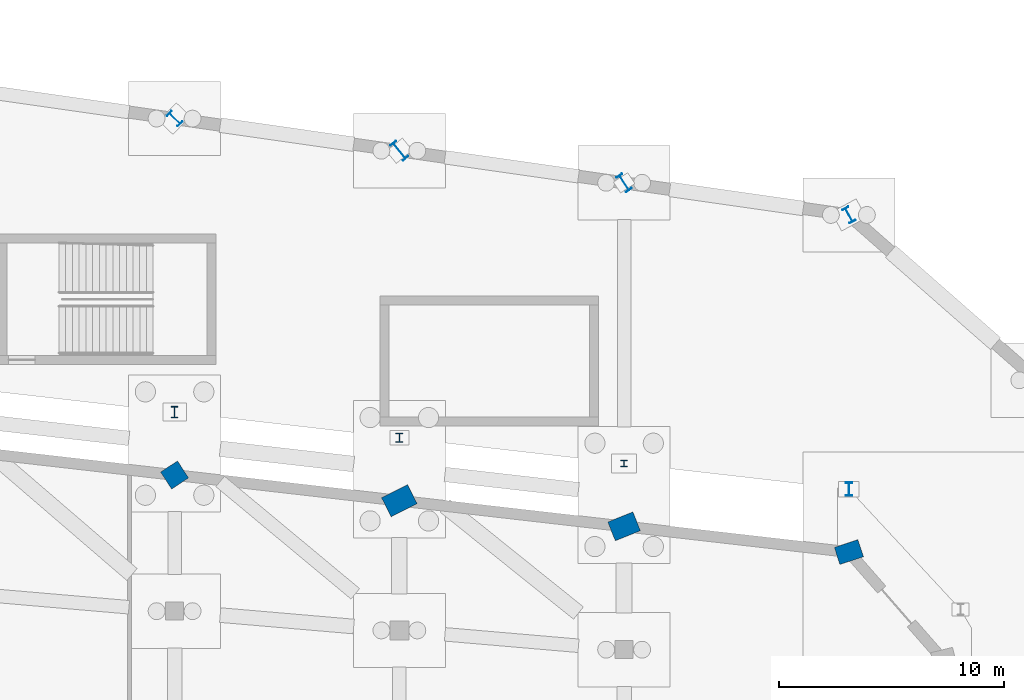
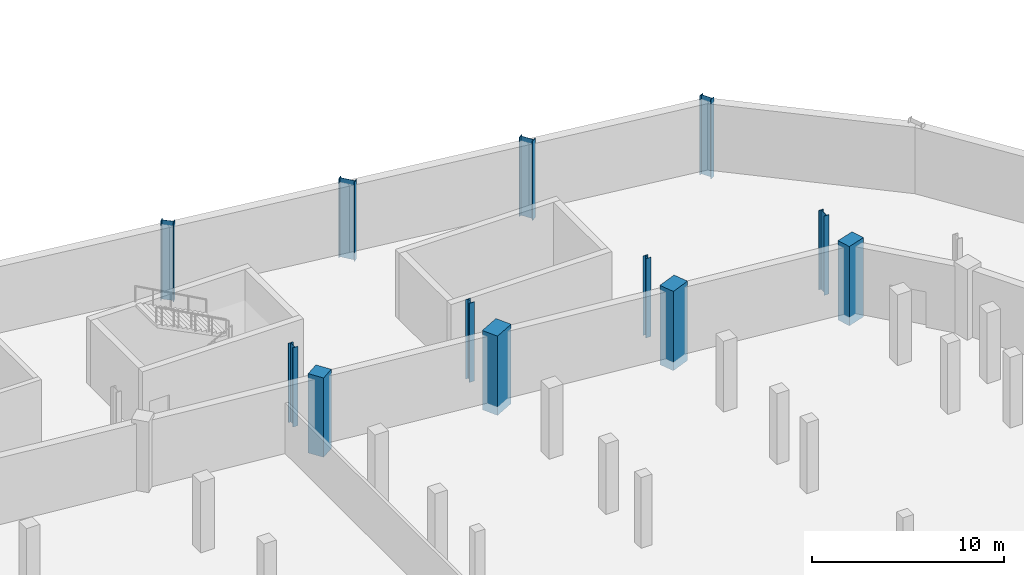
# One storey, part 32 of 55: 12 columns.
"""IFC4 building model written with IfcOpenShell, lengths in metres."""

from ifc_helpers import new_model, si_unit, direction, frame, origin, origin_2d, place, context, subcontext, project, spatial, rectangle, i_section, extrude, material, material_profile, profile_set, type_object, element, save


model = new_model("IFC4")

# Units and contexts
model_context = context("Model", 3, precision=1e-05, world=origin(), true_north=direction((0.0, 1.0)))
body_context = subcontext(model_context, "Body", "Model", "MODEL_VIEW")
ifc_project = project(units=[si_unit("LENGTHUNIT", "METRE"), si_unit("AREAUNIT", "SQUARE_METRE"), si_unit("VOLUMEUNIT", "CUBIC_METRE"), si_unit("PLANEANGLEUNIT", "RADIAN"), si_unit("MASSUNIT", "GRAM", prefix="KILO")], contexts=[model_context])

# Site, building, storey
site_placement = place(None, origin())
site = spatial("IfcSite", under=ifc_project, at=site_placement, CompositionType="ELEMENT")
building_placement = place(site_placement, origin())
building = spatial("IfcBuilding", under=site, at=building_placement, Name="Sohan Crest Arena", CompositionType="ELEMENT")
storey_placement = place(building_placement, frame((0.0, 0.0, -4.5)))
storey = spatial("IfcBuildingStorey", under=building, at=storey_placement, Name="B1", CompositionType="ELEMENT", Elevation=-4.5)

# Columns
ifc_material_1 = material(Name="Concrete C40/50", Category="concrete")
ifc_material_profile_1 = material_profile(ifc_material_1, rectangle(XDim=0.89990234375, YDim=0.89990234375, at=origin_2d()), Name="RC 900x900")
ifc_profile_set_1 = profile_set([ifc_material_profile_1], Name="Concrete C40/50")
column_type_1 = type_object("IfcColumnType", Name="STR-COL-C07", PredefinedType="COLUMN", material=ifc_profile_set_1)
column_1_placement = place(storey_placement, frame((138.0, 104.428955078125, -0.550048828125), z_axis=(0.0, 0.0, 1.0), x_axis=(0.833885822067, 0.551936985312, 0.0)))
element("IfcColumn", 1, at=column_1_placement, inside=storey, type_object=column_type_1, Name="Structural column COL-V1R-31-B1", PredefinedType="COLUMN", context=body_context, shape_type="SweptSolid", body=[
    extrude(rectangle(XDim=0.89990234375, YDim=0.89990234375, at=origin_2d()), origin(), (0.0, 0.0, 1.0), 5.050048828125),
])
ifc_material_profile_2 = material_profile(ifc_material_1, rectangle(XDim=1.10009765625, YDim=0.800048828125, at=origin_2d()), Name="RC 1100x800")
ifc_profile_set_2 = profile_set([ifc_material_profile_2], Name="Concrete C40/50")
column_type_2 = type_object("IfcColumnType", Name="STR-COL-C10", PredefinedType="COLUMN", material=ifc_profile_set_2)
column_2_placement = place(storey_placement, frame((168.0, 101.0, -0.550048828125), z_axis=(0.0, 0.0, 1.0), x_axis=(0.949972051525, 0.312334918512, 0.0)))
element("IfcColumn", 2, at=column_2_placement, inside=storey, type_object=column_type_2, Name="Structural column COL-V1R-28-B1", PredefinedType="COLUMN", context=body_context, shape_type="SweptSolid", body=[
    extrude(rectangle(XDim=1.10009765625, YDim=0.800048828125, at=origin_2d()), origin(), (0.0, 0.0, 1.0), 5.050048828125),
])
ifc_material_profile_3 = material_profile(ifc_material_1, rectangle(XDim=1.199951171875, YDim=0.89990234375, at=origin_2d()), Name="RC 1200x900")
ifc_profile_set_3 = profile_set([ifc_material_profile_3], Name="Concrete C40/50")
column_type_3 = type_object("IfcColumnType", Name="STR-COL-C11", PredefinedType="COLUMN", material=ifc_profile_set_3)
column_3_placement = place(storey_placement, frame((158.0, 102.14306640625, -0.550048828125), z_axis=(0.0, 0.0, 1.0), x_axis=(0.927836253899, 0.372987782576, 0.0)))
element("IfcColumn", 3, at=column_3_placement, inside=storey, type_object=column_type_3, Name="Structural column COL-V1R-29-B1", PredefinedType="COLUMN", context=body_context, shape_type="SweptSolid", body=[
    extrude(rectangle(XDim=1.199951171875, YDim=0.89990234375, at=origin_2d()), origin(), (0.0, 0.0, 1.0), 5.050048828125),
])
ifc_material_profile_4 = material_profile(ifc_material_1, rectangle(XDim=1.300048828125, YDim=0.949951171875, at=origin_2d()), Name="RC 1300x950")
ifc_profile_set_4 = profile_set([ifc_material_profile_4], Name="Concrete C40/50")
column_type_4 = type_object("IfcColumnType", Name="STR-COL-C12", PredefinedType="COLUMN", material=ifc_profile_set_4)
column_4_placement = place(storey_placement, frame((148.0, 103.285888671875, -0.550048828125), z_axis=(0.0, 0.0, 1.0), x_axis=(0.892585818452, 0.450877540689, 0.0)))
element("IfcColumn", 4, at=column_4_placement, inside=storey, type_object=column_type_4, Name="Structural column COL-V1R-30-B1", PredefinedType="COLUMN", context=body_context, shape_type="SweptSolid", body=[
    extrude(rectangle(XDim=1.300048828125, YDim=0.949951171875, at=origin_2d()), origin(), (0.0, 0.0, 1.0), 5.050048828125),
])
ifc_material_2 = material(Name="Steel S355", Category="steel")
ifc_material_profile_5 = material_profile(ifc_material_2, i_section(OverallWidth=0.300048828125, OverallDepth=0.300048828125, WebThickness=0.010986328125, FlangeThickness=0.01904296875, at=origin_2d()), Name="HEB 300")
ifc_profile_set_5 = profile_set([ifc_material_profile_5], Name="Steel S355")
column_type_5 = type_object("IfcColumnType", Name="STR-COL-C17", PredefinedType="COLUMN", material=ifc_profile_set_5)
column_5_placement = place(storey_placement, frame((158.0, 104.943115234375, -0.550048828125), z_axis=(0.0, 0.0, 1.0), x_axis=(1.0, 0.0, 0.0)))
element("IfcColumn", 5, at=column_5_placement, inside=storey, type_object=column_type_5, Name="Structural column COL-V2I-29-B1", PredefinedType="COLUMN", context=body_context, shape_type="SweptSolid", body=[
    extrude(i_section(OverallWidth=0.300048828125, OverallDepth=0.300048828125, WebThickness=0.010986328125, FlangeThickness=0.01904296875, at=origin_2d()), origin(), (0.0, 0.0, 1.0), 5.050048828125),
])
ifc_material_profile_6 = material_profile(ifc_material_2, i_section(OverallWidth=0.300048828125, OverallDepth=0.39990234375, WebThickness=0.013427734375, FlangeThickness=0.02392578125, at=origin_2d()), Name="HEB 400")
ifc_profile_set_6 = profile_set([ifc_material_profile_6], Name="Steel S355")
column_type_6 = type_object("IfcColumnType", Name="STR-COL-C18", PredefinedType="COLUMN", material=ifc_profile_set_6)
column_6_placement = place(storey_placement, frame((148.0, 106.0859375, -0.550048828125), z_axis=(0.0, 0.0, 1.0), x_axis=(1.0, 0.0, 0.0)))
element("IfcColumn", 6, at=column_6_placement, inside=storey, type_object=column_type_6, Name="Structural column COL-V2I-30-B1", PredefinedType="COLUMN", context=body_context, shape_type="SweptSolid", body=[
    extrude(i_section(OverallWidth=0.300048828125, OverallDepth=0.39990234375, WebThickness=0.013427734375, FlangeThickness=0.02392578125, at=origin_2d()), origin(), (0.0, 0.0, 1.0), 5.050048828125),
])
ifc_material_profile_7 = material_profile(ifc_material_2, i_section(OverallWidth=0.300048828125, OverallDepth=0.5, WebThickness=0.014404296875, FlangeThickness=0.028076171875, at=origin_2d()), Name="HEB 500")
ifc_profile_set_7 = profile_set([ifc_material_profile_7], Name="Steel S355")
column_type_7 = type_object("IfcColumnType", Name="STR-COL-C19", PredefinedType="COLUMN", material=ifc_profile_set_7)
column_7_placement = place(storey_placement, frame((138.0, 107.22900390625, -0.550048828125), z_axis=(0.0, 0.0, 1.0), x_axis=(1.0, 0.0, 0.0)))
element("IfcColumn", 7, at=column_7_placement, inside=storey, type_object=column_type_7, Name="Structural column COL-V2I-31-B1", PredefinedType="COLUMN", context=body_context, shape_type="SweptSolid", body=[
    extrude(i_section(OverallWidth=0.300048828125, OverallDepth=0.5, WebThickness=0.014404296875, FlangeThickness=0.028076171875, at=origin_2d()), origin(), (0.0, 0.0, 1.0), 5.050048828125),
])
ifc_material_profile_8 = material_profile(ifc_material_2, i_section(OverallWidth=0.300048828125, OverallDepth=0.60009765625, WebThickness=0.015380859375, FlangeThickness=0.030029296875, at=origin_2d()), Name="HEB 600")
ifc_profile_set_8 = profile_set([ifc_material_profile_8], Name="Steel S355")
column_type_8 = type_object("IfcColumnType", Name="STR-COL-C20", PredefinedType="COLUMN", material=ifc_profile_set_8)
column_8_placement = place(storey_placement, frame((168.0, 103.800048828125, -0.550048828125), z_axis=(0.0, 0.0, 1.0), x_axis=(1.0, 0.0, 0.0)))
element("IfcColumn", 8, at=column_8_placement, inside=storey, type_object=column_type_8, Name="Structural column COL-V2I-28-B1", PredefinedType="COLUMN", context=body_context, shape_type="SweptSolid", body=[
    extrude(i_section(OverallWidth=0.300048828125, OverallDepth=0.60009765625, WebThickness=0.015380859375, FlangeThickness=0.030029296875, at=origin_2d()), origin(), (0.0, 0.0, 1.0), 5.050048828125),
])
ifc_material_profile_9 = material_profile(ifc_material_2, i_section(OverallWidth=0.300048828125, OverallDepth=0.699951171875, WebThickness=0.01708984375, FlangeThickness=0.031982421875, at=origin_2d()), Name="HEB 700")
ifc_profile_set_9 = profile_set([ifc_material_profile_9], Name="Steel S355")
column_type_9 = type_object("IfcColumnType", Name="STR-COL-C21", PredefinedType="COLUMN", material=ifc_profile_set_9)
for number, where, z_axis, x_axis, name in (
    (9, (168.0, 116.0, -0.550048828125), (0.0, 0.0, 1.0), (0.878817112662, 0.47715876026, 0.0), "Structural column COL-V2O-28-B1"),
    (10, (138.0, 120.285888671875, -0.550048828125), (0.0, 0.0, 1.0), (0.687087510804, 0.726574670971, 0.0), "Structural column COL-V2O-31-B1"),
):
    element("IfcColumn", number, at=place(storey_placement, frame(where, z_axis=z_axis, x_axis=x_axis)), inside=storey, type_object=column_type_9, Name=name, PredefinedType="COLUMN", context=body_context, shape_type="SweptSolid", body=[
        extrude(i_section(OverallWidth=0.300048828125, OverallDepth=0.699951171875, WebThickness=0.01708984375, FlangeThickness=0.031982421875, at=origin_2d()), origin(), (0.0, 0.0, 1.0), 5.050048828125),
    ])
ifc_material_profile_10 = material_profile(ifc_material_2, i_section(OverallWidth=0.300048828125, OverallDepth=0.800048828125, WebThickness=0.017578125, FlangeThickness=0.032958984375, at=origin_2d()), Name="HEB 800")
ifc_profile_set_10 = profile_set([ifc_material_profile_10], Name="Steel S355")
column_type_10 = type_object("IfcColumnType", Name="STR-COL-C22", PredefinedType="COLUMN", material=ifc_profile_set_10)
column_9_placement = place(storey_placement, frame((158.0, 117.428955078125, -0.550048828125), z_axis=(0.0, 0.0, 1.0), x_axis=(0.835807361368, 0.549022817998, 0.0)))
element("IfcColumn", 11, at=column_9_placement, inside=storey, type_object=column_type_10, Name="Structural column COL-V2O-29-B1", PredefinedType="COLUMN", context=body_context, shape_type="SweptSolid", body=[
    extrude(i_section(OverallWidth=0.300048828125, OverallDepth=0.800048828125, WebThickness=0.017578125, FlangeThickness=0.032958984375, at=origin_2d()), origin(), (0.0, 0.0, 1.0), 5.050048828125),
])
ifc_material_profile_11 = material_profile(ifc_material_2, i_section(OverallWidth=0.300048828125, OverallDepth=0.89990234375, WebThickness=0.0185546875, FlangeThickness=0.034912109375, at=origin_2d()), Name="HEB 900")
ifc_profile_set_11 = profile_set([ifc_material_profile_11], Name="Steel S355")
column_type_11 = type_object("IfcColumnType", Name="STR-COL-C23", PredefinedType="COLUMN", material=ifc_profile_set_11)
column_10_placement = place(storey_placement, frame((148.0, 118.85693359375, -0.550048828125), z_axis=(0.0, 0.0, 1.0), x_axis=(0.773840209727, 0.633380872628, 0.0)))
element("IfcColumn", 12, at=column_10_placement, inside=storey, type_object=column_type_11, Name="Structural column COL-V2O-30-B1", PredefinedType="COLUMN", context=body_context, shape_type="SweptSolid", body=[
    extrude(i_section(OverallWidth=0.300048828125, OverallDepth=0.89990234375, WebThickness=0.0185546875, FlangeThickness=0.034912109375, at=origin_2d()), origin(), (0.0, 0.0, 1.0), 5.050048828125),
])

save(model, "model.ifc")
